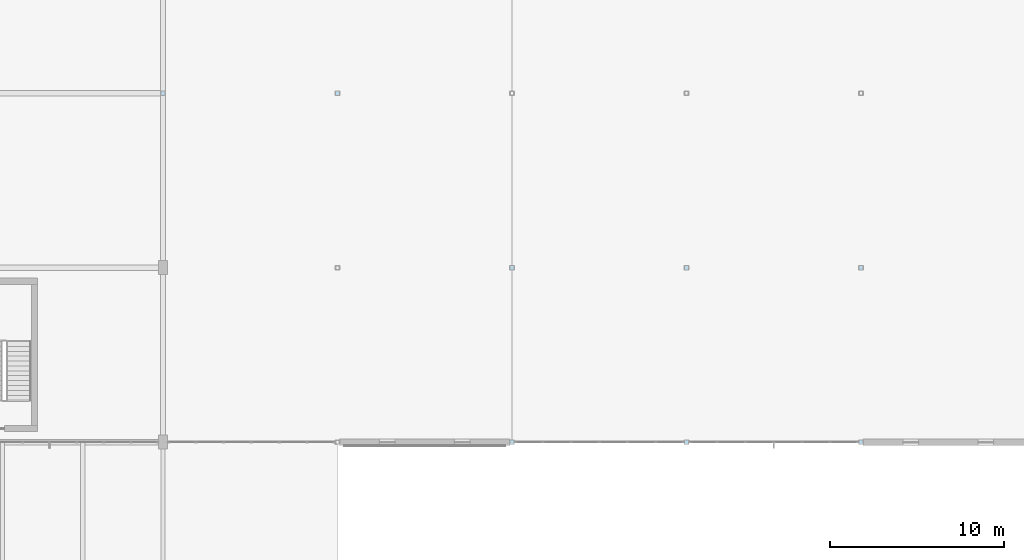
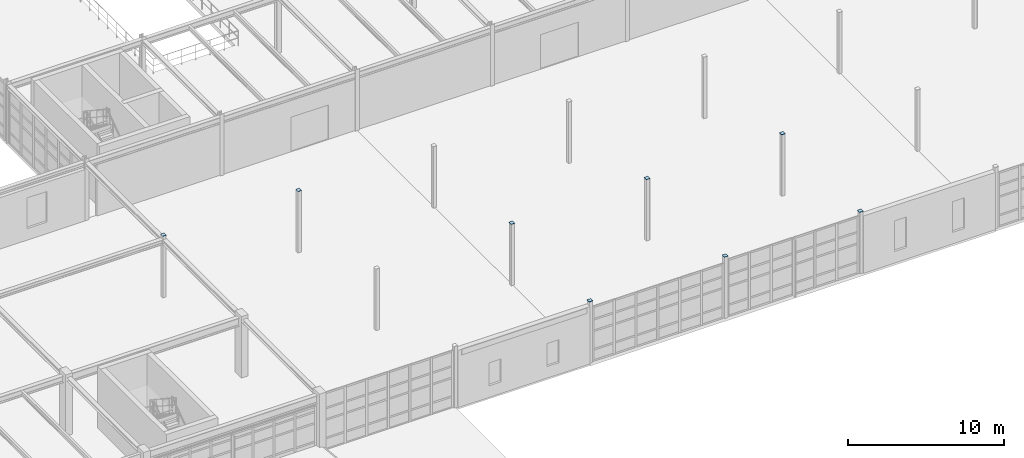
# One storey, part 109 of 139: 8 plates.
"""IFC4 building model written with IfcOpenShell, lengths in metres."""

from ifc_helpers import new_model, si_unit, direction, frame, origin, origin_2d, place, context, subcontext, project, spatial, rectangle, extrude, material, layer, layer_set, type_object, element, save


model = new_model("IFC4")

# Units and contexts
model_context = context("Model", 3, precision=1e-05, world=origin(), true_north=direction((0.0, 1.0)))
body_context = subcontext(model_context, "Body", "Model", "MODEL_VIEW")
ifc_project = project(units=[si_unit("LENGTHUNIT", "METRE"), si_unit("AREAUNIT", "SQUARE_METRE"), si_unit("VOLUMEUNIT", "CUBIC_METRE"), si_unit("PLANEANGLEUNIT", "RADIAN"), si_unit("MASSUNIT", "GRAM", prefix="KILO"), si_unit("THERMODYNAMICTEMPERATUREUNIT", "KELVIN"), si_unit("POWERUNIT", "WATT")], contexts=[model_context])

# Site, building, storey
site_placement = place(None, origin())
site = spatial("IfcSite", under=ifc_project, at=site_placement, CompositionType="ELEMENT")
building_placement = place(site_placement, origin())
building = spatial("IfcBuilding", under=site, at=building_placement, Name="Korenveer Ferry Terminal", CompositionType="ELEMENT")
storey_placement = place(building_placement, frame((0.0, 0.0, 5.39990234375)))
storey = spatial("IfcBuildingStorey", under=building, at=storey_placement, Name="L01", CompositionType="ELEMENT", Elevation=5.39990234375)

# Plates
ifc_material = material(Name="Steel S355", Category="steel")
ifc_layer = layer(ifc_material, 0.031982421875)
ifc_layer_set = layer_set([ifc_layer], Name="Steel S355")
plate_type = type_object("IfcPlateType", Name="STR-PLT-CAP32", PredefinedType="USERDEFINED", material=ifc_layer_set)
for number, where, z_axis, x_axis, name in (
    (1, (53.0, 40.0, 4.80029296875), (0.0, 0.0, 1.0), (1.0, 0.0, 0.0), "Hollow section end cap 47"),
    (2, (63.0, 40.0, 4.80029296875), (0.0, 0.0, 1.0), (1.0, 0.0, 0.0), "Hollow section end cap 50"),
    (3, (73.0, 20.0, 4.80029296875), (0.0, 0.0, 1.0), (1.0, 0.0, 0.0), "Hollow section end cap 51"),
    (4, (73.0, 30.0, 4.80029296875), (0.0, 0.0, 1.0), (1.0, 0.0, 0.0), "Hollow section end cap 52"),
    (5, (83.0, 20.0, 4.80029296875), (0.0, 0.0, 1.0), (1.0, 0.0, 0.0), "Hollow section end cap 54"),
    (6, (83.0, 30.0, 4.80029296875), (0.0, 0.0, 1.0), (1.0, 0.0, 0.0), "Hollow section end cap 55"),
    (7, (93.0, 20.0, 4.80029296875), (0.0, 0.0, 1.0), (1.0, 0.0, 0.0), "Hollow section end cap 57"),
    (8, (93.0, 30.0, 4.80029296875), (0.0, 0.0, 1.0), (1.0, 0.0, 0.0), "Hollow section end cap 58"),
):
    element("IfcPlate", number, at=place(storey_placement, frame(where, z_axis=z_axis, x_axis=x_axis)), inside=storey, type_object=plate_type, Name=name, ObjectType="END CAP PLATE", PredefinedType="USERDEFINED", context=body_context, shape_type="SweptSolid", body=[
        extrude(rectangle(XDim=0.280029296875, YDim=0.280029296875, at=origin_2d()), origin(), (0.0, 0.0, 1.0), 0.031982421875),
    ])

save(model, "model.ifc")
